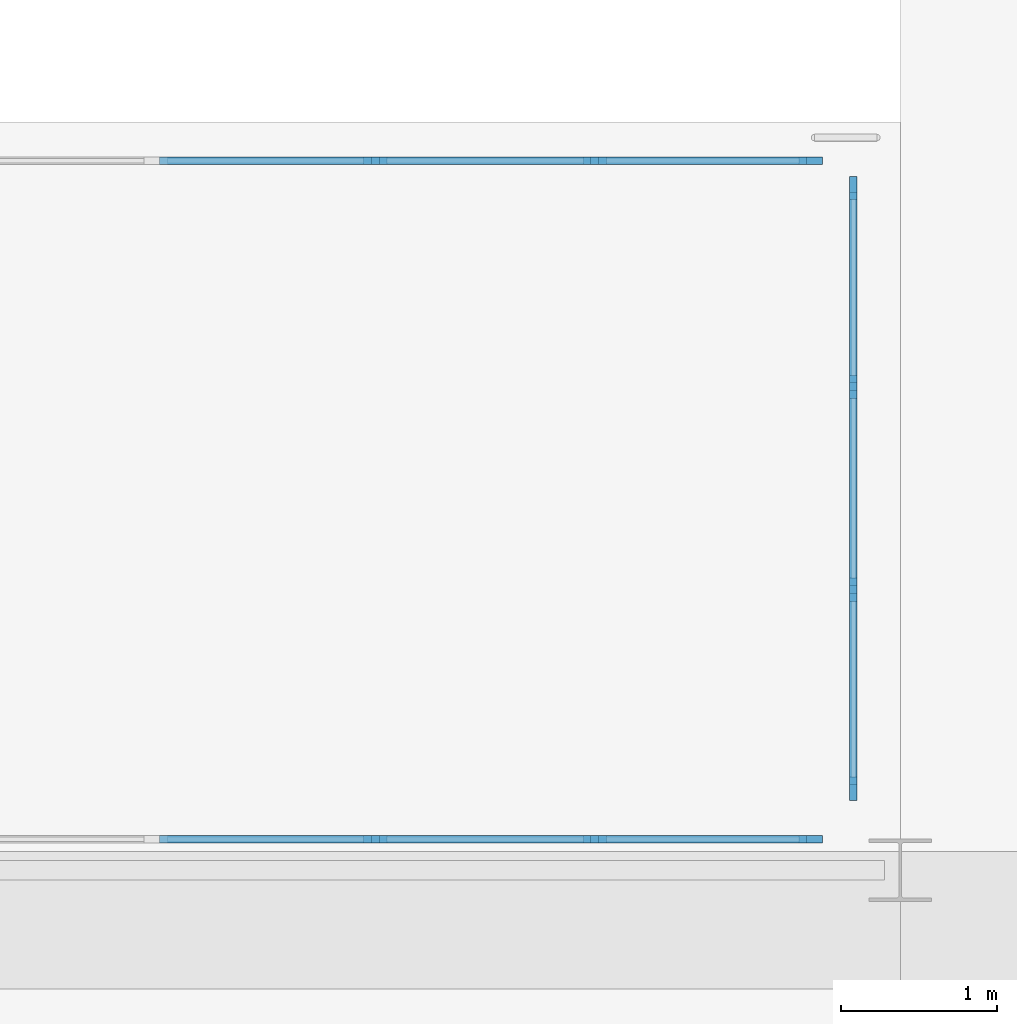
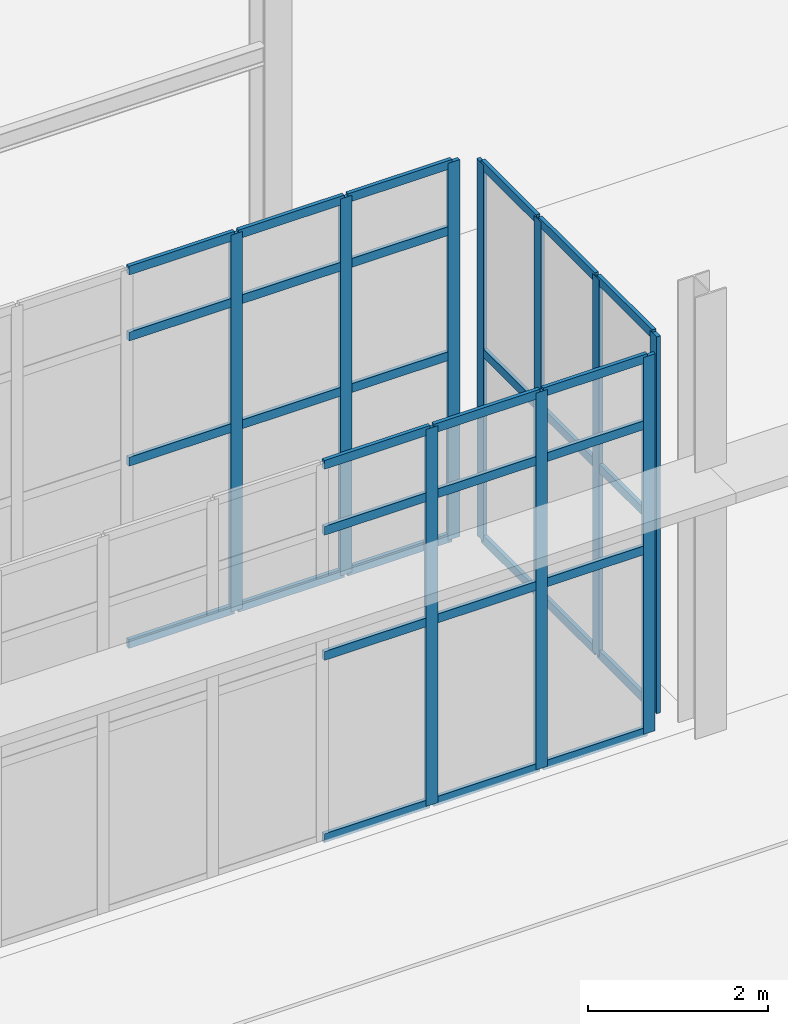
# One storey, part 32 of 139: 43 members, 3 elements without a shape of their own.
"""IFC4 building model written with IfcOpenShell, lengths in metres."""

from ifc_helpers import new_model, si_unit, direction, frame, origin, origin_2d, place, context, subcontext, project, spatial, rectangle, extrude, material, layer, layer_set, material_profile, profile_set, type_object, element, aggregate, save


model = new_model("IFC4")

# Units and contexts
model_context = context("Model", 3, precision=1e-05, world=origin(), true_north=direction((0.0, 1.0)))
body_context = subcontext(model_context, "Body", "Model", "MODEL_VIEW")
ifc_project = project(units=[si_unit("LENGTHUNIT", "METRE"), si_unit("AREAUNIT", "SQUARE_METRE"), si_unit("VOLUMEUNIT", "CUBIC_METRE"), si_unit("PLANEANGLEUNIT", "RADIAN"), si_unit("MASSUNIT", "GRAM", prefix="KILO")], contexts=[model_context])

# Site, building, storey
site_placement = place(None, origin())
site = spatial("IfcSite", under=ifc_project, at=site_placement, CompositionType="ELEMENT")
building_placement = place(site_placement, origin())
building = spatial("IfcBuilding", under=site, at=building_placement, Name="Yeouljin Market Hall", CompositionType="ELEMENT")
storey_placement = place(building_placement, origin())
storey = spatial("IfcBuildingStorey", under=building, at=storey_placement, Name="L00", CompositionType="ELEMENT", Elevation=0.0)

# Curtain wall, members
ifc_material_1 = material(Name="Thermally Broken Aluminium", Category="aluminium")
ifc_layer_1 = layer(ifc_material_1, 0.14990234375)
ifc_layer_set_1 = layer_set([ifc_layer_1], Name="Thermally Broken Aluminium")
curtain_wall_type_1 = type_object("IfcCurtainWallType", Name="CW_ColonnadeScreen_System", PredefinedType="USERDEFINED", material=ifc_layer_set_1)
curtain_wall_1_placement = place(storey_placement, origin())
curtain_wall_1 = element("IfcCurtainWall", 1, at=curtain_wall_1_placement, inside=storey, type_object=curtain_wall_type_1, Name="Curtain wall CW-V5S-L00-3", ObjectType="CURTAIN WALL", PredefinedType="USERDEFINED")
ifc_material_2 = material(Name="Thermally Broken Aluminium", Category="aluminium")
ifc_material_profile_1 = material_profile(ifc_material_2, rectangle(XDim=0.048095703125, YDim=0.14990234375, at=origin_2d()), Name="CW-MULL-48x150")
ifc_profile_set_1 = profile_set([ifc_material_profile_1], Name="Thermally Broken Aluminium")
member_type_1 = type_object("IfcMemberType", Name="CWMullion_48x150", PredefinedType="MULLION", material=ifc_profile_set_1)
member_1_placement = place(storey_placement, frame((63.6259765625, 0.199951171875, 0.0), z_axis=(0.0, 0.0, 1.0), x_axis=(0.0, -1.0, 0.0)))
member_1 = element("IfcMember", 2, at=member_1_placement, type_object=member_type_1, Name="CW-06 mullion 1", PredefinedType="MULLION", context=body_context, shape_type="SweptSolid", body=[
    extrude(rectangle(XDim=0.048095703125, YDim=0.14990234375, at=origin_2d()), origin(), (0.0, 0.0, 1.0), 5.1201171875),
])
member_2_placement = place(storey_placement, frame((62.24169921875, 0.199951171875, 0.0), z_axis=(0.0, 0.0, 1.0), x_axis=(0.0, -1.0, 0.0)))
member_2 = element("IfcMember", 3, at=member_2_placement, type_object=member_type_1, Name="CW-06 mullion 2", PredefinedType="MULLION", context=body_context, shape_type="SweptSolid", body=[
    extrude(rectangle(XDim=0.048095703125, YDim=0.14990234375, at=origin_2d()), origin(), (0.0, 0.0, 1.0), 5.1201171875),
])
member_3_placement = place(storey_placement, frame((60.833251953125, 0.199951171875, 0.0), z_axis=(0.0, 0.0, 1.0), x_axis=(0.0, -1.0, 0.0)))
member_3 = element("IfcMember", 4, at=member_3_placement, type_object=member_type_1, Name="CW-06 mullion 3", PredefinedType="MULLION", context=body_context, shape_type="SweptSolid", body=[
    extrude(rectangle(XDim=0.048095703125, YDim=0.14990234375, at=origin_2d()), origin(), (0.0, 0.0, 1.0), 5.1201171875),
])

curtain_wall_2_placement = place(storey_placement, origin())
curtain_wall_2 = element("IfcCurtainWall", 5, at=curtain_wall_2_placement, inside=storey, type_object=curtain_wall_type_1, Name="Curtain wall CW-V5N-L00-3", ObjectType="CURTAIN WALL", PredefinedType="USERDEFINED")
member_4_placement = place(storey_placement, frame((60.833251953125, 4.550048828125, 0.0), z_axis=(0.0, 0.0, 1.0), x_axis=(0.0, 1.0, 0.0)))
member_4 = element("IfcMember", 6, at=member_4_placement, type_object=member_type_1, Name="CW-06 mullion 5", PredefinedType="MULLION", context=body_context, shape_type="SweptSolid", body=[
    extrude(rectangle(XDim=0.048095703125, YDim=0.14990234375, at=origin_2d()), origin(), (0.0, 0.0, 1.0), 5.1201171875),
])
member_5_placement = place(storey_placement, frame((62.24169921875, 4.550048828125, 0.0), z_axis=(0.0, 0.0, 1.0), x_axis=(0.0, 1.0, 0.0)))
member_5 = element("IfcMember", 7, at=member_5_placement, type_object=member_type_1, Name="CW-06 mullion 6", PredefinedType="MULLION", context=body_context, shape_type="SweptSolid", body=[
    extrude(rectangle(XDim=0.048095703125, YDim=0.14990234375, at=origin_2d()), origin(), (0.0, 0.0, 1.0), 5.1201171875),
])
member_6_placement = place(storey_placement, frame((63.6259765625, 4.550048828125, 0.0), z_axis=(0.0, 0.0, 1.0), x_axis=(0.0, 1.0, 0.0)))
member_6 = element("IfcMember", 8, at=member_6_placement, type_object=member_type_1, Name="CW-06 mullion 7", PredefinedType="MULLION", context=body_context, shape_type="SweptSolid", body=[
    extrude(rectangle(XDim=0.048095703125, YDim=0.14990234375, at=origin_2d()), origin(), (0.0, 0.0, 1.0), 5.1201171875),
])

ifc_material_3 = material(Name="Thermally Broken Aluminium", Category="aluminium")
ifc_layer_2 = layer(ifc_material_3, 0.14990234375)
ifc_layer_set_2 = layer_set([ifc_layer_2], Name="Thermally Broken Aluminium")
curtain_wall_type_2 = type_object("IfcCurtainWallType", Name="CW_WingStorefront_System", PredefinedType="USERDEFINED", material=ifc_layer_set_2)
curtain_wall_3_placement = place(storey_placement, origin())
curtain_wall_3 = element("IfcCurtainWall", 9, at=curtain_wall_3_placement, inside=storey, type_object=curtain_wall_type_2, Name="Curtain wall CW-CRT-L00-27", ObjectType="CURTAIN WALL", PredefinedType="USERDEFINED")
member_7_placement = place(storey_placement, frame((63.89990234375, 4.3759765625, 0.0), z_axis=(0.0, 0.0, 1.0), x_axis=(1.0, 0.0, 0.0)))
member_7 = element("IfcMember", 10, at=member_7_placement, type_object=member_type_1, Name="CW-04 mullion 1", PredefinedType="MULLION", context=body_context, shape_type="SweptSolid", body=[
    extrude(rectangle(XDim=0.048095703125, YDim=0.14990234375, at=origin_2d()), origin(), (0.0, 0.0, 1.0), 5.1201171875),
])
member_8_placement = place(storey_placement, frame((63.89990234375, 3.10009765625, 0.0), z_axis=(0.0, 0.0, 1.0), x_axis=(1.0, 0.0, 0.0)))
member_8 = element("IfcMember", 11, at=member_8_placement, type_object=member_type_1, Name="CW-04 mullion 2", PredefinedType="MULLION", context=body_context, shape_type="SweptSolid", body=[
    extrude(rectangle(XDim=0.048095703125, YDim=0.14990234375, at=origin_2d()), origin(), (0.0, 0.0, 1.0), 5.1201171875),
])
member_9_placement = place(storey_placement, frame((63.89990234375, 1.800048828125, 0.0), z_axis=(0.0, 0.0, 1.0), x_axis=(1.0, 0.0, 0.0)))
member_9 = element("IfcMember", 12, at=member_9_placement, type_object=member_type_1, Name="CW-04 mullion 3", PredefinedType="MULLION", context=body_context, shape_type="SweptSolid", body=[
    extrude(rectangle(XDim=0.048095703125, YDim=0.14990234375, at=origin_2d()), origin(), (0.0, 0.0, 1.0), 5.1201171875),
])
member_10_placement = place(storey_placement, frame((63.89990234375, 0.52392578125, 0.0), z_axis=(0.0, 0.0, 1.0), x_axis=(1.0, 0.0, 0.0)))
member_10 = element("IfcMember", 13, at=member_10_placement, type_object=member_type_1, Name="CW-04 mullion 4", PredefinedType="MULLION", context=body_context, shape_type="SweptSolid", body=[
    extrude(rectangle(XDim=0.048095703125, YDim=0.14990234375, at=origin_2d()), origin(), (0.0, 0.0, 1.0), 5.1201171875),
])

# Member
ifc_material_4 = material(Name="Thermally Broken Aluminium", Category="aluminium")
ifc_material_profile_2 = material_profile(ifc_material_4, rectangle(XDim=0.048095703125, YDim=0.1201171875, at=origin_2d()), Name="CW-TRAN-48x120")
ifc_profile_set_2 = profile_set([ifc_material_profile_2], Name="Thermally Broken Aluminium")
member_type_2 = type_object("IfcMemberType", Name="CWTransom_48x120", PredefinedType="USERDEFINED", material=ifc_profile_set_2)
member_11_placement = place(storey_placement, frame((63.60205078125, 0.199951171875, 0.02392578125), z_axis=(-1.0, 0.0, 0.0), x_axis=(0.0, -1.0, 0.0)))
member_11 = element("IfcMember", 14, at=member_11_placement, type_object=member_type_2, Name="CW-06 transom 1.1", ObjectType="TRANSOM", PredefinedType="USERDEFINED", context=body_context, shape_type="SweptSolid", body=[
    extrude(rectangle(XDim=0.048095703125, YDim=0.1201171875, at=origin_2d()), origin(), (0.0, 0.0, 1.0), 1.33642578125),
])

member_12_placement = place(storey_placement, frame((63.60205078125, 0.199951171875, 2.5), z_axis=(-1.0, 0.0, 0.0), x_axis=(0.0, -1.0, 0.0)))
member_12 = element("IfcMember", 15, at=member_12_placement, type_object=member_type_2, Name="CW-06 transom 1.2", ObjectType="TRANSOM", PredefinedType="USERDEFINED", context=body_context, shape_type="SweptSolid", body=[
    extrude(rectangle(XDim=0.048095703125, YDim=0.1201171875, at=origin_2d()), origin(), (0.0, 0.0, 1.0), 1.33642578125),
])

member_13_placement = place(storey_placement, frame((63.60205078125, 0.199951171875, 4.199951171875), z_axis=(-1.0, 0.0, 0.0), x_axis=(0.0, -1.0, 0.0)))
member_13 = element("IfcMember", 16, at=member_13_placement, type_object=member_type_2, Name="CW-06 transom 1.3", ObjectType="TRANSOM", PredefinedType="USERDEFINED", context=body_context, shape_type="SweptSolid", body=[
    extrude(rectangle(XDim=0.048095703125, YDim=0.1201171875, at=origin_2d()), origin(), (0.0, 0.0, 1.0), 1.33642578125),
])

member_14_placement = place(storey_placement, frame((63.60205078125, 0.199951171875, 5.095947265625), z_axis=(-1.0, 0.0, 0.0), x_axis=(0.0, -1.0, 0.0)))
member_14 = element("IfcMember", 17, at=member_14_placement, type_object=member_type_2, Name="CW-06 transom 1.4", ObjectType="TRANSOM", PredefinedType="USERDEFINED", context=body_context, shape_type="SweptSolid", body=[
    extrude(rectangle(XDim=0.048095703125, YDim=0.1201171875, at=origin_2d()), origin(), (0.0, 0.0, 1.0), 1.33642578125),
])

member_15_placement = place(storey_placement, frame((62.2177734375, 0.199951171875, 0.02392578125), z_axis=(-1.0, 0.0, 0.0), x_axis=(0.0, -1.0, 0.0)))
member_15 = element("IfcMember", 18, at=member_15_placement, type_object=member_type_2, Name="CW-06 transom 2.1", ObjectType="TRANSOM", PredefinedType="USERDEFINED", context=body_context, shape_type="SweptSolid", body=[
    extrude(rectangle(XDim=0.048095703125, YDim=0.1201171875, at=origin_2d()), origin(), (0.0, 0.0, 1.0), 1.3603515625),
])

member_16_placement = place(storey_placement, frame((62.2177734375, 0.199951171875, 2.5), z_axis=(-1.0, 0.0, 0.0), x_axis=(0.0, -1.0, 0.0)))
member_16 = element("IfcMember", 19, at=member_16_placement, type_object=member_type_2, Name="CW-06 transom 2.2", ObjectType="TRANSOM", PredefinedType="USERDEFINED", context=body_context, shape_type="SweptSolid", body=[
    extrude(rectangle(XDim=0.048095703125, YDim=0.1201171875, at=origin_2d()), origin(), (0.0, 0.0, 1.0), 1.3603515625),
])

member_17_placement = place(storey_placement, frame((62.2177734375, 0.199951171875, 4.199951171875), z_axis=(-1.0, 0.0, 0.0), x_axis=(0.0, -1.0, 0.0)))
member_17 = element("IfcMember", 20, at=member_17_placement, type_object=member_type_2, Name="CW-06 transom 2.3", ObjectType="TRANSOM", PredefinedType="USERDEFINED", context=body_context, shape_type="SweptSolid", body=[
    extrude(rectangle(XDim=0.048095703125, YDim=0.1201171875, at=origin_2d()), origin(), (0.0, 0.0, 1.0), 1.3603515625),
])

member_18_placement = place(storey_placement, frame((62.2177734375, 0.199951171875, 5.095947265625), z_axis=(-1.0, 0.0, 0.0), x_axis=(0.0, -1.0, 0.0)))
member_18 = element("IfcMember", 21, at=member_18_placement, type_object=member_type_2, Name="CW-06 transom 2.4", ObjectType="TRANSOM", PredefinedType="USERDEFINED", context=body_context, shape_type="SweptSolid", body=[
    extrude(rectangle(XDim=0.048095703125, YDim=0.1201171875, at=origin_2d()), origin(), (0.0, 0.0, 1.0), 1.3603515625),
])

member_19_placement = place(storey_placement, frame((60.809326171875, 0.199951171875, 0.02392578125), z_axis=(-1.0, 0.0, 0.0), x_axis=(0.0, -1.0, 0.0)))
member_19 = element("IfcMember", 22, at=member_19_placement, type_object=member_type_2, Name="CW-06 transom 3.1", ObjectType="TRANSOM", PredefinedType="USERDEFINED", context=body_context, shape_type="SweptSolid", body=[
    extrude(rectangle(XDim=0.048095703125, YDim=0.1201171875, at=origin_2d()), origin(), (0.0, 0.0, 1.0), 1.3603515625),
])

member_20_placement = place(storey_placement, frame((60.809326171875, 0.199951171875, 2.5), z_axis=(-1.0, 0.0, 0.0), x_axis=(0.0, -1.0, 0.0)))
member_20 = element("IfcMember", 23, at=member_20_placement, type_object=member_type_2, Name="CW-06 transom 3.2", ObjectType="TRANSOM", PredefinedType="USERDEFINED", context=body_context, shape_type="SweptSolid", body=[
    extrude(rectangle(XDim=0.048095703125, YDim=0.1201171875, at=origin_2d()), origin(), (0.0, 0.0, 1.0), 1.3603515625),
])

member_21_placement = place(storey_placement, frame((60.809326171875, 0.199951171875, 4.199951171875), z_axis=(-1.0, 0.0, 0.0), x_axis=(0.0, -1.0, 0.0)))
member_21 = element("IfcMember", 24, at=member_21_placement, type_object=member_type_2, Name="CW-06 transom 3.3", ObjectType="TRANSOM", PredefinedType="USERDEFINED", context=body_context, shape_type="SweptSolid", body=[
    extrude(rectangle(XDim=0.048095703125, YDim=0.1201171875, at=origin_2d()), origin(), (0.0, 0.0, 1.0), 1.3603515625),
])

member_22_placement = place(storey_placement, frame((60.809326171875, 0.199951171875, 5.095947265625), z_axis=(-1.0, 0.0, 0.0), x_axis=(0.0, -1.0, 0.0)))
member_22 = element("IfcMember", 25, at=member_22_placement, type_object=member_type_2, Name="CW-06 transom 3.4", ObjectType="TRANSOM", PredefinedType="USERDEFINED", context=body_context, shape_type="SweptSolid", body=[
    extrude(rectangle(XDim=0.048095703125, YDim=0.1201171875, at=origin_2d()), origin(), (0.0, 0.0, 1.0), 1.3603515625),
])

aggregate(curtain_wall_1, [member_1, member_2, member_3, member_11, member_12, member_13, member_14, member_15, member_16, member_17, member_18, member_19, member_20, member_21, member_22])

member_23_placement = place(storey_placement, frame((59.448974609375, 4.550048828125, 0.02392578125), z_axis=(1.0, 0.0, 0.0), x_axis=(0.0, 1.0, 0.0)))
member_23 = element("IfcMember", 26, at=member_23_placement, type_object=member_type_2, Name="CW-06 transom 4.1", ObjectType="TRANSOM", PredefinedType="USERDEFINED", context=body_context, shape_type="SweptSolid", body=[
    extrude(rectangle(XDim=0.048095703125, YDim=0.1201171875, at=origin_2d()), origin(), (0.0, 0.0, 1.0), 1.3603515625),
])

member_24_placement = place(storey_placement, frame((59.448974609375, 4.550048828125, 2.5), z_axis=(1.0, 0.0, 0.0), x_axis=(0.0, 1.0, 0.0)))
member_24 = element("IfcMember", 27, at=member_24_placement, type_object=member_type_2, Name="CW-06 transom 4.2", ObjectType="TRANSOM", PredefinedType="USERDEFINED", context=body_context, shape_type="SweptSolid", body=[
    extrude(rectangle(XDim=0.048095703125, YDim=0.1201171875, at=origin_2d()), origin(), (0.0, 0.0, 1.0), 1.3603515625),
])

member_25_placement = place(storey_placement, frame((59.448974609375, 4.550048828125, 4.199951171875), z_axis=(1.0, 0.0, 0.0), x_axis=(0.0, 1.0, 0.0)))
member_25 = element("IfcMember", 28, at=member_25_placement, type_object=member_type_2, Name="CW-06 transom 4.3", ObjectType="TRANSOM", PredefinedType="USERDEFINED", context=body_context, shape_type="SweptSolid", body=[
    extrude(rectangle(XDim=0.048095703125, YDim=0.1201171875, at=origin_2d()), origin(), (0.0, 0.0, 1.0), 1.3603515625),
])

member_26_placement = place(storey_placement, frame((59.448974609375, 4.550048828125, 5.095947265625), z_axis=(1.0, 0.0, 0.0), x_axis=(0.0, 1.0, 0.0)))
member_26 = element("IfcMember", 29, at=member_26_placement, type_object=member_type_2, Name="CW-06 transom 4.4", ObjectType="TRANSOM", PredefinedType="USERDEFINED", context=body_context, shape_type="SweptSolid", body=[
    extrude(rectangle(XDim=0.048095703125, YDim=0.1201171875, at=origin_2d()), origin(), (0.0, 0.0, 1.0), 1.3603515625),
])

member_27_placement = place(storey_placement, frame((60.857421875, 4.550048828125, 0.02392578125), z_axis=(1.0, 0.0, 0.0), x_axis=(0.0, 1.0, 0.0)))
member_27 = element("IfcMember", 30, at=member_27_placement, type_object=member_type_2, Name="CW-06 transom 5.1", ObjectType="TRANSOM", PredefinedType="USERDEFINED", context=body_context, shape_type="SweptSolid", body=[
    extrude(rectangle(XDim=0.048095703125, YDim=0.1201171875, at=origin_2d()), origin(), (0.0, 0.0, 1.0), 1.3603515625),
])

member_28_placement = place(storey_placement, frame((60.857421875, 4.550048828125, 2.5), z_axis=(1.0, 0.0, 0.0), x_axis=(0.0, 1.0, 0.0)))
member_28 = element("IfcMember", 31, at=member_28_placement, type_object=member_type_2, Name="CW-06 transom 5.2", ObjectType="TRANSOM", PredefinedType="USERDEFINED", context=body_context, shape_type="SweptSolid", body=[
    extrude(rectangle(XDim=0.048095703125, YDim=0.1201171875, at=origin_2d()), origin(), (0.0, 0.0, 1.0), 1.3603515625),
])

member_29_placement = place(storey_placement, frame((60.857421875, 4.550048828125, 4.199951171875), z_axis=(1.0, 0.0, 0.0), x_axis=(0.0, 1.0, 0.0)))
member_29 = element("IfcMember", 32, at=member_29_placement, type_object=member_type_2, Name="CW-06 transom 5.3", ObjectType="TRANSOM", PredefinedType="USERDEFINED", context=body_context, shape_type="SweptSolid", body=[
    extrude(rectangle(XDim=0.048095703125, YDim=0.1201171875, at=origin_2d()), origin(), (0.0, 0.0, 1.0), 1.3603515625),
])

member_30_placement = place(storey_placement, frame((60.857421875, 4.550048828125, 5.095947265625), z_axis=(1.0, 0.0, 0.0), x_axis=(0.0, 1.0, 0.0)))
member_30 = element("IfcMember", 33, at=member_30_placement, type_object=member_type_2, Name="CW-06 transom 5.4", ObjectType="TRANSOM", PredefinedType="USERDEFINED", context=body_context, shape_type="SweptSolid", body=[
    extrude(rectangle(XDim=0.048095703125, YDim=0.1201171875, at=origin_2d()), origin(), (0.0, 0.0, 1.0), 1.3603515625),
])

member_31_placement = place(storey_placement, frame((62.265625, 4.550048828125, 0.02392578125), z_axis=(1.0, 0.0, 0.0), x_axis=(0.0, 1.0, 0.0)))
member_31 = element("IfcMember", 34, at=member_31_placement, type_object=member_type_2, Name="CW-06 transom 6.1", ObjectType="TRANSOM", PredefinedType="USERDEFINED", context=body_context, shape_type="SweptSolid", body=[
    extrude(rectangle(XDim=0.048095703125, YDim=0.1201171875, at=origin_2d()), origin(), (0.0, 0.0, 1.0), 1.33642578125),
])

member_32_placement = place(storey_placement, frame((62.265625, 4.550048828125, 2.5), z_axis=(1.0, 0.0, 0.0), x_axis=(0.0, 1.0, 0.0)))
member_32 = element("IfcMember", 35, at=member_32_placement, type_object=member_type_2, Name="CW-06 transom 6.2", ObjectType="TRANSOM", PredefinedType="USERDEFINED", context=body_context, shape_type="SweptSolid", body=[
    extrude(rectangle(XDim=0.048095703125, YDim=0.1201171875, at=origin_2d()), origin(), (0.0, 0.0, 1.0), 1.33642578125),
])

member_33_placement = place(storey_placement, frame((62.265625, 4.550048828125, 4.199951171875), z_axis=(1.0, 0.0, 0.0), x_axis=(0.0, 1.0, 0.0)))
member_33 = element("IfcMember", 36, at=member_33_placement, type_object=member_type_2, Name="CW-06 transom 6.3", ObjectType="TRANSOM", PredefinedType="USERDEFINED", context=body_context, shape_type="SweptSolid", body=[
    extrude(rectangle(XDim=0.048095703125, YDim=0.1201171875, at=origin_2d()), origin(), (0.0, 0.0, 1.0), 1.33642578125),
])

member_34_placement = place(storey_placement, frame((62.265625, 4.550048828125, 5.095947265625), z_axis=(1.0, 0.0, 0.0), x_axis=(0.0, 1.0, 0.0)))
member_34 = element("IfcMember", 37, at=member_34_placement, type_object=member_type_2, Name="CW-06 transom 6.4", ObjectType="TRANSOM", PredefinedType="USERDEFINED", context=body_context, shape_type="SweptSolid", body=[
    extrude(rectangle(XDim=0.048095703125, YDim=0.1201171875, at=origin_2d()), origin(), (0.0, 0.0, 1.0), 1.33642578125),
])

aggregate(curtain_wall_2, [member_4, member_5, member_6, member_23, member_24, member_25, member_26, member_27, member_28, member_29, member_30, member_31, member_32, member_33, member_34])

member_35_placement = place(storey_placement, frame((63.89990234375, 4.35205078125, 0.02392578125), z_axis=(0.0, -1.0, 0.0), x_axis=(1.0, 0.0, 0.0)))
member_35 = element("IfcMember", 38, at=member_35_placement, type_object=member_type_2, Name="CW-04 transom 1.1", ObjectType="TRANSOM", PredefinedType="USERDEFINED", context=body_context, shape_type="SweptSolid", body=[
    extrude(rectangle(XDim=0.048095703125, YDim=0.1201171875, at=origin_2d()), origin(), (0.0, 0.0, 1.0), 1.22802734375),
])

member_36_placement = place(storey_placement, frame((63.89990234375, 4.35205078125, 2.56005859375), z_axis=(0.0, -1.0, 0.0), x_axis=(1.0, 0.0, 0.0)))
member_36 = element("IfcMember", 39, at=member_36_placement, type_object=member_type_2, Name="CW-04 transom 1.2", ObjectType="TRANSOM", PredefinedType="USERDEFINED", context=body_context, shape_type="SweptSolid", body=[
    extrude(rectangle(XDim=0.048095703125, YDim=0.1201171875, at=origin_2d()), origin(), (0.0, 0.0, 1.0), 1.22802734375),
])

member_37_placement = place(storey_placement, frame((63.89990234375, 4.35205078125, 5.095947265625), z_axis=(0.0, -1.0, 0.0), x_axis=(1.0, 0.0, 0.0)))
member_37 = element("IfcMember", 40, at=member_37_placement, type_object=member_type_2, Name="CW-04 transom 1.3", ObjectType="TRANSOM", PredefinedType="USERDEFINED", context=body_context, shape_type="SweptSolid", body=[
    extrude(rectangle(XDim=0.048095703125, YDim=0.1201171875, at=origin_2d()), origin(), (0.0, 0.0, 1.0), 1.22802734375),
])

member_38_placement = place(storey_placement, frame((63.89990234375, 3.075927734375, 0.02392578125), z_axis=(0.0, -1.0, 0.0), x_axis=(1.0, 0.0, 0.0)))
member_38 = element("IfcMember", 41, at=member_38_placement, type_object=member_type_2, Name="CW-04 transom 2.1", ObjectType="TRANSOM", PredefinedType="USERDEFINED", context=body_context, shape_type="SweptSolid", body=[
    extrude(rectangle(XDim=0.048095703125, YDim=0.1201171875, at=origin_2d()), origin(), (0.0, 0.0, 1.0), 1.251953125),
])

member_39_placement = place(storey_placement, frame((63.89990234375, 3.075927734375, 2.56005859375), z_axis=(0.0, -1.0, 0.0), x_axis=(1.0, 0.0, 0.0)))
member_39 = element("IfcMember", 42, at=member_39_placement, type_object=member_type_2, Name="CW-04 transom 2.2", ObjectType="TRANSOM", PredefinedType="USERDEFINED", context=body_context, shape_type="SweptSolid", body=[
    extrude(rectangle(XDim=0.048095703125, YDim=0.1201171875, at=origin_2d()), origin(), (0.0, 0.0, 1.0), 1.251953125),
])

member_40_placement = place(storey_placement, frame((63.89990234375, 3.075927734375, 5.095947265625), z_axis=(0.0, -1.0, 0.0), x_axis=(1.0, 0.0, 0.0)))
member_40 = element("IfcMember", 43, at=member_40_placement, type_object=member_type_2, Name="CW-04 transom 2.3", ObjectType="TRANSOM", PredefinedType="USERDEFINED", context=body_context, shape_type="SweptSolid", body=[
    extrude(rectangle(XDim=0.048095703125, YDim=0.1201171875, at=origin_2d()), origin(), (0.0, 0.0, 1.0), 1.251953125),
])

member_41_placement = place(storey_placement, frame((63.89990234375, 1.77587890625, 0.02392578125), z_axis=(0.0, -1.0, 0.0), x_axis=(1.0, 0.0, 0.0)))
member_41 = element("IfcMember", 44, at=member_41_placement, type_object=member_type_2, Name="CW-04 transom 3.1", ObjectType="TRANSOM", PredefinedType="USERDEFINED", context=body_context, shape_type="SweptSolid", body=[
    extrude(rectangle(XDim=0.048095703125, YDim=0.1201171875, at=origin_2d()), origin(), (0.0, 0.0, 1.0), 1.227783203125),
])

member_42_placement = place(storey_placement, frame((63.89990234375, 1.77587890625, 2.56005859375), z_axis=(0.0, -1.0, 0.0), x_axis=(1.0, 0.0, 0.0)))
member_42 = element("IfcMember", 45, at=member_42_placement, type_object=member_type_2, Name="CW-04 transom 3.2", ObjectType="TRANSOM", PredefinedType="USERDEFINED", context=body_context, shape_type="SweptSolid", body=[
    extrude(rectangle(XDim=0.048095703125, YDim=0.1201171875, at=origin_2d()), origin(), (0.0, 0.0, 1.0), 1.227783203125),
])

member_43_placement = place(storey_placement, frame((63.89990234375, 1.77587890625, 5.095947265625), z_axis=(0.0, -1.0, 0.0), x_axis=(1.0, 0.0, 0.0)))
member_43 = element("IfcMember", 46, at=member_43_placement, type_object=member_type_2, Name="CW-04 transom 3.3", ObjectType="TRANSOM", PredefinedType="USERDEFINED", context=body_context, shape_type="SweptSolid", body=[
    extrude(rectangle(XDim=0.048095703125, YDim=0.1201171875, at=origin_2d()), origin(), (0.0, 0.0, 1.0), 1.227783203125),
])

aggregate(curtain_wall_3, [member_7, member_8, member_9, member_10, member_35, member_36, member_37, member_38, member_39, member_40, member_41, member_42, member_43])

save(model, "model.ifc")
